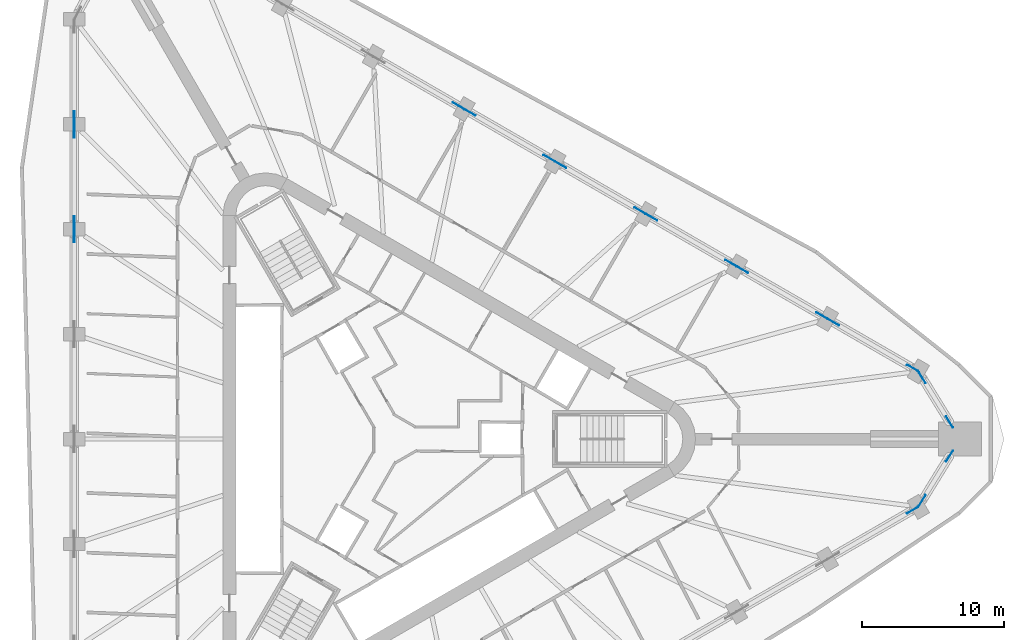
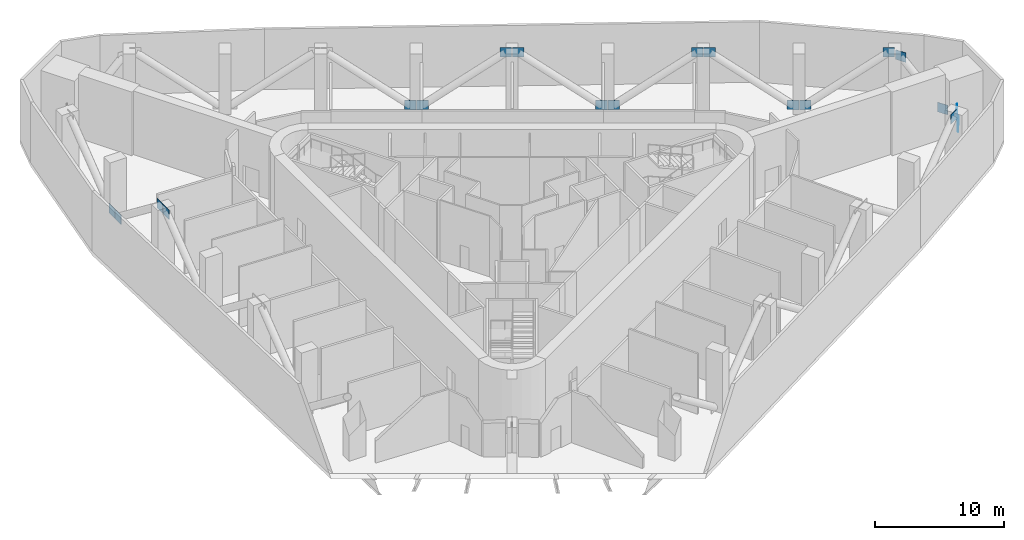
# One storey, part 10 of 13: 20 discrete accessories.
"""IFC4 building model written with IfcOpenShell, lengths in metres."""

from ifc_helpers import new_model, si_unit, direction, frame, origin, origin_2d, place, context, subcontext, project, spatial, rectangle, extrude, material, layer, layer_set, type_object, element, save


model = new_model("IFC4")

# Units and contexts
model_context = context("Model", 3, precision=1e-05, world=origin(), true_north=direction((0.0, 1.0)))
body_context = subcontext(model_context, "Body", "Model", "MODEL_VIEW")
ifc_project = project(units=[si_unit("LENGTHUNIT", "METRE"), si_unit("AREAUNIT", "SQUARE_METRE"), si_unit("VOLUMEUNIT", "CUBIC_METRE"), si_unit("PLANEANGLEUNIT", "RADIAN"), si_unit("MASSUNIT", "GRAM", prefix="KILO")], contexts=[model_context])

# Site, building, storey
site_placement = place(None, origin())
site = spatial("IfcSite", under=ifc_project, at=site_placement, CompositionType="ELEMENT")
building_placement = place(site_placement, origin())
building = spatial("IfcBuilding", under=site, at=building_placement, Name="Tanit Gate Tower", CompositionType="ELEMENT")
storey_placement = place(building_placement, frame((0.0, 0.0, 163.199951171875)))
storey = spatial("IfcBuildingStorey", under=building, at=storey_placement, Name="L35", CompositionType="ELEMENT", Elevation=163.199951171875)

# Discrete accessories
ifc_material = material(Name="Steel S460", Category="steel")
ifc_layer = layer(ifc_material, 0.0400390625)
ifc_layer_set = layer_set([ifc_layer], Name="GUSSET PLATE 900x900x40 S460")
discrete_accessory_type = type_object("IfcDiscreteAccessoryType", Name="GUSSET PLATE 900x900x40 S460", PredefinedType="BRACKET", material=ifc_layer_set)
for number, where, z_axis, x_axis, name in (
    (1, (-22.58251953125, 14.307861328125, 4.8837890625), (0.0, 0.0, 1.0), (0.0, -1.0, 0.0), "GUSSET PLATE NODE L35-040"),
    (2, (-22.58251953125, 15.2578125, 4.8837890625), (0.0, 0.0, 1.0), (0.0, 1.0, 0.0), "GUSSET PLATE NODE L35-041"),
    (3, (-22.58251953125, 21.69921875, -0.08349609375), (0.0, 0.0, 1.0), (0.0, -1.0, 0.0), "GUSSET PLATE NODE L35-042"),
    (4, (-22.58251953125, 22.6494140625, -0.08349609375), (0.0, 0.0, 1.0), (0.0, 1.0, 0.0), "GUSSET PLATE NODE L35-043"),
    (5, (4.478515625, 23.490234375, -0.08349609375), (0.0, 0.0, 1.0), (-0.866025403784, 0.5, 0.0), "GUSSET PLATE NODE L35-064"),
    (6, (5.301513671875, 23.01513671875, -0.08349609375), (0.0, 0.0, 1.0), (0.866025403784, -0.5, 0.0), "GUSSET PLATE NODE L35-066"),
    (7, (10.8798828125, 19.79443359375, 4.8837890625), (0.0, 0.0, 1.0), (-0.866025403784, 0.5, 0.0), "GUSSET PLATE NODE L35-068"),
    (8, (11.70263671875, 19.319580078125, 4.8837890625), (0.0, 0.0, 1.0), (0.866025403784, -0.5, 0.0), "GUSSET PLATE NODE L35-070"),
    (9, (17.281005859375, 16.0986328125, -0.08349609375), (0.0, 0.0, 1.0), (-0.866025403784, 0.5, 0.0), "GUSSET PLATE NODE L35-072"),
    (10, (18.103759765625, 15.623779296875, -0.08349609375), (0.0, 0.0, 1.0), (0.866025403784, -0.5, 0.0), "GUSSET PLATE NODE L35-074"),
    (11, (23.68212890625, 12.403076171875, 4.8837890625), (0.0, 0.0, 1.0), (-0.866025403784, 0.5, 0.0), "GUSSET PLATE NODE L35-076"),
    (12, (24.5048828125, 11.927978515625, 4.8837890625), (0.0, 0.0, 1.0), (0.866025403784, -0.5, 0.0), "GUSSET PLATE NODE L35-078"),
    (13, (30.08349609375, 8.707275390625, -0.08349609375), (0.0, 0.0, 1.0), (-0.866025403784, 0.5, 0.0), "GUSSET PLATE NODE L35-080"),
    (14, (30.90625, 8.232421875, -0.08349609375), (0.0, 0.0, 1.0), (0.866025403784, -0.5, 0.0), "GUSSET PLATE NODE L35-082"),
    (15, (36.484619140625, -5.01171875, 4.8837890625), (0.0, 0.0, 1.0), (-0.866025403784, -0.5, 0.0), "GUSSET PLATE NODE L35-083"),
    (16, (36.484619140625, 5.01171875, 4.8837890625), (0.0, 0.0, 1.0), (-0.866025403784, 0.5, 0.0), "GUSSET PLATE NODE L35-084"),
    (17, (37.1787109375, -4.31396484375, 4.70068359375), (0.0, 0.0, 1.0), (0.523629089467, 0.851946346118, 0.0), "GUSSET PLATE NODE L35-085"),
    (18, (37.1787109375, 4.31396484375, 4.70068359375), (0.0, 0.0, 1.0), (0.523629089467, -0.851946346118, 0.0), "GUSSET PLATE NODE L35-086"),
    (19, (39.092529296875, -1.199951171875, 0.98291015625), (0.0, 0.0, 1.0), (-0.523629089467, -0.851946346118, 0.0), "GUSSET PLATE NODE L35-087"),
    (20, (39.092529296875, 1.199951171875, 0.98291015625), (0.0, 0.0, 1.0), (-0.523629089467, 0.851946346118, 0.0), "GUSSET PLATE NODE L35-088"),
):
    element("IfcDiscreteAccessory", number, at=place(storey_placement, frame(where, z_axis=z_axis, x_axis=x_axis)), inside=storey, type_object=discrete_accessory_type, Name=name, PredefinedType="BRACKET", context=body_context, shape_type="SweptSolid", body=[
        extrude(rectangle(XDim=0.89990234375, YDim=0.0400390625, at=origin_2d()), origin(), (0.0, 0.0, 1.0), 0.89990234375),
    ])

save(model, "model.ifc")
